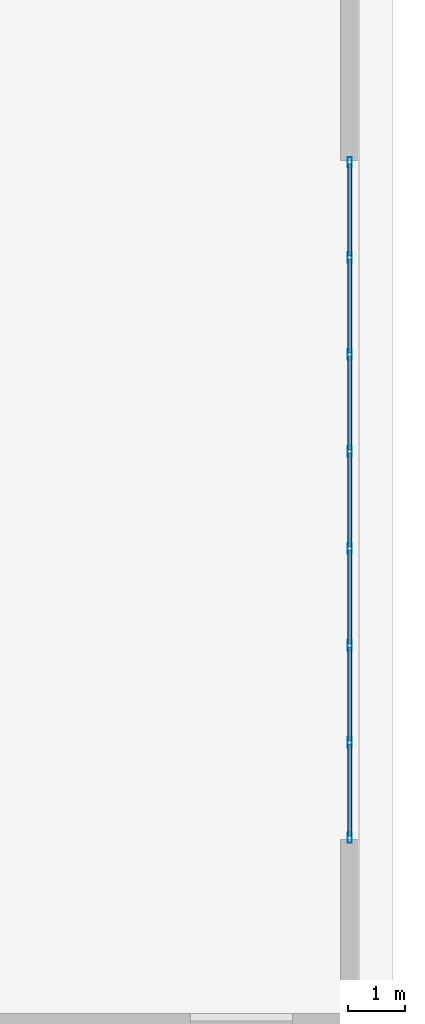
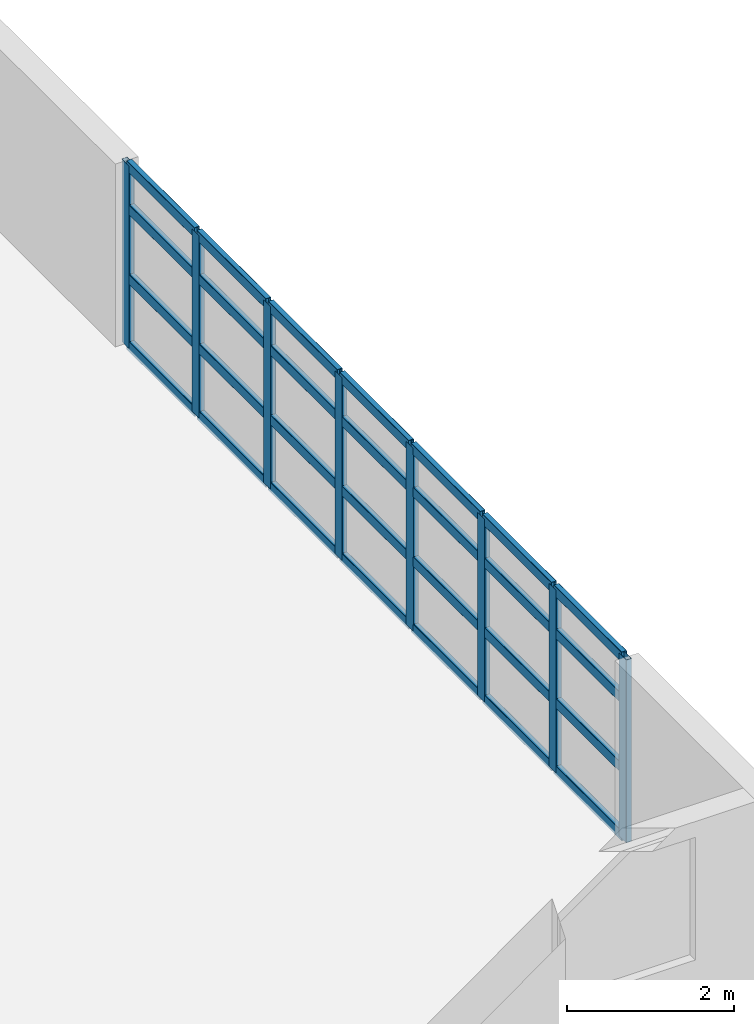
# One storey, part 8 of 24: 36 members, 1 element without a shape of its own.
"""IFC4 building model written with IfcOpenShell, lengths in metres."""

from ifc_helpers import new_model, si_unit, direction, frame, origin, origin_2d, place, context, subcontext, project, spatial, hollow_rectangle, extrude, material, layer, layer_set, material_profile, profile_set, type_object, element, aggregate, save


model = new_model("IFC4")

# Units and contexts
model_context = context("Model", 3, precision=1e-05, world=origin(), true_north=direction((0.0, 1.0)))
body_context = subcontext(model_context, "Body", "Model", "MODEL_VIEW")
ifc_project = project(units=[si_unit("LENGTHUNIT", "METRE"), si_unit("AREAUNIT", "SQUARE_METRE"), si_unit("VOLUMEUNIT", "CUBIC_METRE"), si_unit("PLANEANGLEUNIT", "RADIAN"), si_unit("MASSUNIT", "GRAM", prefix="KILO")], contexts=[model_context])

# Site, building, storey
site_placement = place(None, origin())
site = spatial("IfcSite", under=ifc_project, at=site_placement, CompositionType="ELEMENT")
building_placement = place(site_placement, origin())
building = spatial("IfcBuilding", under=site, at=building_placement, Name="Qingluan Cross Belvedere", CompositionType="ELEMENT")
storey_placement = place(building_placement, origin())
storey = spatial("IfcBuildingStorey", under=building, at=storey_placement, Name="L01", CompositionType="ELEMENT", Elevation=0.0)

# Curtain wall, members
ifc_material_1 = material(Name="Thermally broken aluminium and Low-E glass", Category="aluminium")
ifc_layer = layer(ifc_material_1, 0.199951171875, Name="UnitisedCW_PodiumArrival")
ifc_layer_set = layer_set([ifc_layer], Name="Thermally broken aluminium and Low-E glass")
curtain_wall_type = type_object("IfcCurtainWallType", Name="UnitisedCW_PodiumArrival", PredefinedType="USERDEFINED", material=ifc_layer_set)
curtain_wall_placement = place(storey_placement, origin())
curtain_wall = element("IfcCurtainWall", 1, at=curtain_wall_placement, inside=storey, type_object=curtain_wall_type, Name="UnitisedCW_PodiumArrival run env:cw:L01:E", ObjectType="UNITISED CURTAIN WALL", PredefinedType="USERDEFINED")
ifc_material_2 = material(Name="Aluminium alloy 6063-T6", Category="aluminium")
ifc_material_profile_1 = material_profile(ifc_material_2, hollow_rectangle(XDim=0.074951171875, YDim=0.179931640625, WallThickness=0.00390625, InnerFilletRadius=0.00390625, OuterFilletRadius=0.008056640625, at=origin_2d()), Name="CWM180x75x4")
ifc_profile_set_1 = profile_set([ifc_material_profile_1], Name="Aluminium alloy 6063-T6")
member_type_1 = type_object("IfcMemberType", Name="CWMullion_180", PredefinedType="MULLION", material=ifc_profile_set_1)
member_1_placement = place(storey_placement, frame((39.0400390625, 5.969970703125, 0.0), z_axis=(0.0, 0.0, 1.0), x_axis=(1.0, 0.0, 0.0)))
member_1 = element("IfcMember", 2, at=member_1_placement, type_object=member_type_1, Name="CW-P1 mullion 1", PredefinedType="MULLION", context=body_context, shape_type="SweptSolid", body=[
    extrude(hollow_rectangle(XDim=0.074951171875, YDim=0.179931640625, WallThickness=0.00390625, InnerFilletRadius=0.00390625, OuterFilletRadius=0.008056640625, at=origin_2d()), origin(), (0.0, 0.0, 1.0), 2.679931640625),
])
member_2_placement = place(storey_placement, frame((39.0400390625, 4.28564453125, 0.0), z_axis=(0.0, 0.0, 1.0), x_axis=(1.0, 0.0, 0.0)))
member_2 = element("IfcMember", 3, at=member_2_placement, type_object=member_type_1, Name="CW-P1 mullion 2", PredefinedType="MULLION", context=body_context, shape_type="SweptSolid", body=[
    extrude(hollow_rectangle(XDim=0.074951171875, YDim=0.179931640625, WallThickness=0.00390625, InnerFilletRadius=0.00390625, OuterFilletRadius=0.008056640625, at=origin_2d()), origin(), (0.0, 0.0, 1.0), 2.679931640625),
])
member_3_placement = place(storey_placement, frame((39.0400390625, 2.571533203125, 0.0), z_axis=(0.0, 0.0, 1.0), x_axis=(1.0, 0.0, 0.0)))
member_3 = element("IfcMember", 4, at=member_3_placement, type_object=member_type_1, Name="CW-P1 mullion 3", PredefinedType="MULLION", context=body_context, shape_type="SweptSolid", body=[
    extrude(hollow_rectangle(XDim=0.074951171875, YDim=0.179931640625, WallThickness=0.00390625, InnerFilletRadius=0.00390625, OuterFilletRadius=0.008056640625, at=origin_2d()), origin(), (0.0, 0.0, 1.0), 2.679931640625),
])
member_4_placement = place(storey_placement, frame((39.0400390625, 0.857177734375, 0.0), z_axis=(0.0, 0.0, 1.0), x_axis=(1.0, 0.0, 0.0)))
member_4 = element("IfcMember", 5, at=member_4_placement, type_object=member_type_1, Name="CW-P1 mullion 4", PredefinedType="MULLION", context=body_context, shape_type="SweptSolid", body=[
    extrude(hollow_rectangle(XDim=0.074951171875, YDim=0.179931640625, WallThickness=0.00390625, InnerFilletRadius=0.00390625, OuterFilletRadius=0.008056640625, at=origin_2d()), origin(), (0.0, 0.0, 1.0), 2.679931640625),
])
member_5_placement = place(storey_placement, frame((39.0400390625, -0.857177734375, 0.0), z_axis=(0.0, 0.0, 1.0), x_axis=(1.0, 0.0, 0.0)))
member_5 = element("IfcMember", 6, at=member_5_placement, type_object=member_type_1, Name="CW-P1 mullion 5", PredefinedType="MULLION", context=body_context, shape_type="SweptSolid", body=[
    extrude(hollow_rectangle(XDim=0.074951171875, YDim=0.179931640625, WallThickness=0.00390625, InnerFilletRadius=0.00390625, OuterFilletRadius=0.008056640625, at=origin_2d()), origin(), (0.0, 0.0, 1.0), 2.679931640625),
])
member_6_placement = place(storey_placement, frame((39.0400390625, -2.571533203125, 0.0), z_axis=(0.0, 0.0, 1.0), x_axis=(1.0, 0.0, 0.0)))
member_6 = element("IfcMember", 7, at=member_6_placement, type_object=member_type_1, Name="CW-P1 mullion 6", PredefinedType="MULLION", context=body_context, shape_type="SweptSolid", body=[
    extrude(hollow_rectangle(XDim=0.074951171875, YDim=0.179931640625, WallThickness=0.00390625, InnerFilletRadius=0.00390625, OuterFilletRadius=0.008056640625, at=origin_2d()), origin(), (0.0, 0.0, 1.0), 2.679931640625),
])
member_7_placement = place(storey_placement, frame((39.0400390625, -4.28564453125, 0.0), z_axis=(0.0, 0.0, 1.0), x_axis=(1.0, 0.0, 0.0)))
member_7 = element("IfcMember", 8, at=member_7_placement, type_object=member_type_1, Name="CW-P1 mullion 7", PredefinedType="MULLION", context=body_context, shape_type="SweptSolid", body=[
    extrude(hollow_rectangle(XDim=0.074951171875, YDim=0.179931640625, WallThickness=0.00390625, InnerFilletRadius=0.00390625, OuterFilletRadius=0.008056640625, at=origin_2d()), origin(), (0.0, 0.0, 1.0), 2.679931640625),
])
member_8_placement = place(storey_placement, frame((39.0400390625, -5.969970703125, 0.0), z_axis=(0.0, 0.0, 1.0), x_axis=(1.0, 0.0, 0.0)))
member_8 = element("IfcMember", 9, at=member_8_placement, type_object=member_type_1, Name="CW-P1 mullion 8", PredefinedType="MULLION", context=body_context, shape_type="SweptSolid", body=[
    extrude(hollow_rectangle(XDim=0.074951171875, YDim=0.179931640625, WallThickness=0.00390625, InnerFilletRadius=0.00390625, OuterFilletRadius=0.008056640625, at=origin_2d()), origin(), (0.0, 0.0, 1.0), 2.679931640625),
])
ifc_material_3 = material(Name="Aluminium alloy 6063-T6", Category="aluminium")
ifc_material_profile_2 = material_profile(ifc_material_3, hollow_rectangle(XDim=0.074951171875, YDim=0.14990234375, WallThickness=0.00390625, InnerFilletRadius=0.00390625, OuterFilletRadius=0.008056640625, at=origin_2d()), Name="CWT150x75x4")
ifc_profile_set_2 = profile_set([ifc_material_profile_2], Name="Aluminium alloy 6063-T6")
member_type_2 = type_object("IfcMemberType", Name="CWTransom_150", PredefinedType="USERDEFINED", material=ifc_profile_set_2)
member_9_placement = place(storey_placement, frame((39.0400390625, 5.93994140625, 0.030029296875), z_axis=(0.0, -1.0, 0.0), x_axis=(1.0, 0.0, 0.0)))
member_9 = element("IfcMember", 10, at=member_9_placement, type_object=member_type_2, Name="CW-P1 transom 1.1", ObjectType="TRANSOM", PredefinedType="USERDEFINED", context=body_context, shape_type="SweptSolid", body=[
    extrude(hollow_rectangle(XDim=0.074951171875, YDim=0.14990234375, WallThickness=0.00390625, InnerFilletRadius=0.00390625, OuterFilletRadius=0.008056640625, at=origin_2d()), origin(), (0.0, 0.0, 1.0), 1.624267578125),
])
member_10_placement = place(storey_placement, frame((39.0400390625, 5.93994140625, 1.01806640625), z_axis=(0.0, -1.0, 0.0), x_axis=(1.0, 0.0, 0.0)))
member_10 = element("IfcMember", 11, at=member_10_placement, type_object=member_type_2, Name="CW-P1 transom 1.2", ObjectType="TRANSOM", PredefinedType="USERDEFINED", context=body_context, shape_type="SweptSolid", body=[
    extrude(hollow_rectangle(XDim=0.074951171875, YDim=0.14990234375, WallThickness=0.00390625, InnerFilletRadius=0.00390625, OuterFilletRadius=0.008056640625, at=origin_2d()), origin(), (0.0, 0.0, 1.0), 1.624267578125),
])
member_11_placement = place(storey_placement, frame((39.0400390625, 5.93994140625, 2.037109375), z_axis=(0.0, -1.0, 0.0), x_axis=(1.0, 0.0, 0.0)))
member_11 = element("IfcMember", 12, at=member_11_placement, type_object=member_type_2, Name="CW-P1 transom 1.3", ObjectType="TRANSOM", PredefinedType="USERDEFINED", context=body_context, shape_type="SweptSolid", body=[
    extrude(hollow_rectangle(XDim=0.074951171875, YDim=0.14990234375, WallThickness=0.00390625, InnerFilletRadius=0.00390625, OuterFilletRadius=0.008056640625, at=origin_2d()), origin(), (0.0, 0.0, 1.0), 1.624267578125),
])
member_12_placement = place(storey_placement, frame((39.0400390625, 5.93994140625, 2.64990234375), z_axis=(0.0, -1.0, 0.0), x_axis=(1.0, 0.0, 0.0)))
member_12 = element("IfcMember", 13, at=member_12_placement, type_object=member_type_2, Name="CW-P1 transom 1.4", ObjectType="TRANSOM", PredefinedType="USERDEFINED", context=body_context, shape_type="SweptSolid", body=[
    extrude(hollow_rectangle(XDim=0.074951171875, YDim=0.14990234375, WallThickness=0.00390625, InnerFilletRadius=0.00390625, OuterFilletRadius=0.008056640625, at=origin_2d()), origin(), (0.0, 0.0, 1.0), 1.624267578125),
])
member_13_placement = place(storey_placement, frame((39.0400390625, 4.255615234375, 0.030029296875), z_axis=(0.0, -1.0, 0.0), x_axis=(1.0, 0.0, 0.0)))
member_13 = element("IfcMember", 14, at=member_13_placement, type_object=member_type_2, Name="CW-P1 transom 2.1", ObjectType="TRANSOM", PredefinedType="USERDEFINED", context=body_context, shape_type="SweptSolid", body=[
    extrude(hollow_rectangle(XDim=0.074951171875, YDim=0.14990234375, WallThickness=0.00390625, InnerFilletRadius=0.00390625, OuterFilletRadius=0.008056640625, at=origin_2d()), origin(), (0.0, 0.0, 1.0), 1.654296875),
])
member_14_placement = place(storey_placement, frame((39.0400390625, 4.255615234375, 1.01806640625), z_axis=(0.0, -1.0, 0.0), x_axis=(1.0, 0.0, 0.0)))
member_14 = element("IfcMember", 15, at=member_14_placement, type_object=member_type_2, Name="CW-P1 transom 2.2", ObjectType="TRANSOM", PredefinedType="USERDEFINED", context=body_context, shape_type="SweptSolid", body=[
    extrude(hollow_rectangle(XDim=0.074951171875, YDim=0.14990234375, WallThickness=0.00390625, InnerFilletRadius=0.00390625, OuterFilletRadius=0.008056640625, at=origin_2d()), origin(), (0.0, 0.0, 1.0), 1.654296875),
])
member_15_placement = place(storey_placement, frame((39.0400390625, 4.255615234375, 2.037109375), z_axis=(0.0, -1.0, 0.0), x_axis=(1.0, 0.0, 0.0)))
member_15 = element("IfcMember", 16, at=member_15_placement, type_object=member_type_2, Name="CW-P1 transom 2.3", ObjectType="TRANSOM", PredefinedType="USERDEFINED", context=body_context, shape_type="SweptSolid", body=[
    extrude(hollow_rectangle(XDim=0.074951171875, YDim=0.14990234375, WallThickness=0.00390625, InnerFilletRadius=0.00390625, OuterFilletRadius=0.008056640625, at=origin_2d()), origin(), (0.0, 0.0, 1.0), 1.654296875),
])
member_16_placement = place(storey_placement, frame((39.0400390625, 4.255615234375, 2.64990234375), z_axis=(0.0, -1.0, 0.0), x_axis=(1.0, 0.0, 0.0)))
member_16 = element("IfcMember", 17, at=member_16_placement, type_object=member_type_2, Name="CW-P1 transom 2.4", ObjectType="TRANSOM", PredefinedType="USERDEFINED", context=body_context, shape_type="SweptSolid", body=[
    extrude(hollow_rectangle(XDim=0.074951171875, YDim=0.14990234375, WallThickness=0.00390625, InnerFilletRadius=0.00390625, OuterFilletRadius=0.008056640625, at=origin_2d()), origin(), (0.0, 0.0, 1.0), 1.654296875),
])
member_17_placement = place(storey_placement, frame((39.0400390625, 2.54150390625, 0.030029296875), z_axis=(0.0, -1.0, 0.0), x_axis=(1.0, 0.0, 0.0)))
member_17 = element("IfcMember", 18, at=member_17_placement, type_object=member_type_2, Name="CW-P1 transom 3.1", ObjectType="TRANSOM", PredefinedType="USERDEFINED", context=body_context, shape_type="SweptSolid", body=[
    extrude(hollow_rectangle(XDim=0.074951171875, YDim=0.14990234375, WallThickness=0.00390625, InnerFilletRadius=0.00390625, OuterFilletRadius=0.008056640625, at=origin_2d()), origin(), (0.0, 0.0, 1.0), 1.654296875),
])
member_18_placement = place(storey_placement, frame((39.0400390625, 2.54150390625, 1.01806640625), z_axis=(0.0, -1.0, 0.0), x_axis=(1.0, 0.0, 0.0)))
member_18 = element("IfcMember", 19, at=member_18_placement, type_object=member_type_2, Name="CW-P1 transom 3.2", ObjectType="TRANSOM", PredefinedType="USERDEFINED", context=body_context, shape_type="SweptSolid", body=[
    extrude(hollow_rectangle(XDim=0.074951171875, YDim=0.14990234375, WallThickness=0.00390625, InnerFilletRadius=0.00390625, OuterFilletRadius=0.008056640625, at=origin_2d()), origin(), (0.0, 0.0, 1.0), 1.654296875),
])
member_19_placement = place(storey_placement, frame((39.0400390625, 2.54150390625, 2.037109375), z_axis=(0.0, -1.0, 0.0), x_axis=(1.0, 0.0, 0.0)))
member_19 = element("IfcMember", 20, at=member_19_placement, type_object=member_type_2, Name="CW-P1 transom 3.3", ObjectType="TRANSOM", PredefinedType="USERDEFINED", context=body_context, shape_type="SweptSolid", body=[
    extrude(hollow_rectangle(XDim=0.074951171875, YDim=0.14990234375, WallThickness=0.00390625, InnerFilletRadius=0.00390625, OuterFilletRadius=0.008056640625, at=origin_2d()), origin(), (0.0, 0.0, 1.0), 1.654296875),
])
member_20_placement = place(storey_placement, frame((39.0400390625, 2.54150390625, 2.64990234375), z_axis=(0.0, -1.0, 0.0), x_axis=(1.0, 0.0, 0.0)))
member_20 = element("IfcMember", 21, at=member_20_placement, type_object=member_type_2, Name="CW-P1 transom 3.4", ObjectType="TRANSOM", PredefinedType="USERDEFINED", context=body_context, shape_type="SweptSolid", body=[
    extrude(hollow_rectangle(XDim=0.074951171875, YDim=0.14990234375, WallThickness=0.00390625, InnerFilletRadius=0.00390625, OuterFilletRadius=0.008056640625, at=origin_2d()), origin(), (0.0, 0.0, 1.0), 1.654296875),
])
member_21_placement = place(storey_placement, frame((39.0400390625, 0.8271484375, 0.030029296875), z_axis=(0.0, -1.0, 0.0), x_axis=(1.0, 0.0, 0.0)))
member_21 = element("IfcMember", 22, at=member_21_placement, type_object=member_type_2, Name="CW-P1 transom 4.1", ObjectType="TRANSOM", PredefinedType="USERDEFINED", context=body_context, shape_type="SweptSolid", body=[
    extrude(hollow_rectangle(XDim=0.074951171875, YDim=0.14990234375, WallThickness=0.00390625, InnerFilletRadius=0.00390625, OuterFilletRadius=0.008056640625, at=origin_2d()), origin(), (0.0, 0.0, 1.0), 1.654296875),
])
member_22_placement = place(storey_placement, frame((39.0400390625, 0.8271484375, 1.01806640625), z_axis=(0.0, -1.0, 0.0), x_axis=(1.0, 0.0, 0.0)))
member_22 = element("IfcMember", 23, at=member_22_placement, type_object=member_type_2, Name="CW-P1 transom 4.2", ObjectType="TRANSOM", PredefinedType="USERDEFINED", context=body_context, shape_type="SweptSolid", body=[
    extrude(hollow_rectangle(XDim=0.074951171875, YDim=0.14990234375, WallThickness=0.00390625, InnerFilletRadius=0.00390625, OuterFilletRadius=0.008056640625, at=origin_2d()), origin(), (0.0, 0.0, 1.0), 1.654296875),
])
member_23_placement = place(storey_placement, frame((39.0400390625, 0.8271484375, 2.037109375), z_axis=(0.0, -1.0, 0.0), x_axis=(1.0, 0.0, 0.0)))
member_23 = element("IfcMember", 24, at=member_23_placement, type_object=member_type_2, Name="CW-P1 transom 4.3", ObjectType="TRANSOM", PredefinedType="USERDEFINED", context=body_context, shape_type="SweptSolid", body=[
    extrude(hollow_rectangle(XDim=0.074951171875, YDim=0.14990234375, WallThickness=0.00390625, InnerFilletRadius=0.00390625, OuterFilletRadius=0.008056640625, at=origin_2d()), origin(), (0.0, 0.0, 1.0), 1.654296875),
])
member_24_placement = place(storey_placement, frame((39.0400390625, 0.8271484375, 2.64990234375), z_axis=(0.0, -1.0, 0.0), x_axis=(1.0, 0.0, 0.0)))
member_24 = element("IfcMember", 25, at=member_24_placement, type_object=member_type_2, Name="CW-P1 transom 4.4", ObjectType="TRANSOM", PredefinedType="USERDEFINED", context=body_context, shape_type="SweptSolid", body=[
    extrude(hollow_rectangle(XDim=0.074951171875, YDim=0.14990234375, WallThickness=0.00390625, InnerFilletRadius=0.00390625, OuterFilletRadius=0.008056640625, at=origin_2d()), origin(), (0.0, 0.0, 1.0), 1.654296875),
])
member_25_placement = place(storey_placement, frame((39.0400390625, -0.88720703125, 0.030029296875), z_axis=(0.0, -1.0, 0.0), x_axis=(1.0, 0.0, 0.0)))
member_25 = element("IfcMember", 26, at=member_25_placement, type_object=member_type_2, Name="CW-P1 transom 5.1", ObjectType="TRANSOM", PredefinedType="USERDEFINED", context=body_context, shape_type="SweptSolid", body=[
    extrude(hollow_rectangle(XDim=0.074951171875, YDim=0.14990234375, WallThickness=0.00390625, InnerFilletRadius=0.00390625, OuterFilletRadius=0.008056640625, at=origin_2d()), origin(), (0.0, 0.0, 1.0), 1.654296875),
])
member_26_placement = place(storey_placement, frame((39.0400390625, -0.88720703125, 1.01806640625), z_axis=(0.0, -1.0, 0.0), x_axis=(1.0, 0.0, 0.0)))
member_26 = element("IfcMember", 27, at=member_26_placement, type_object=member_type_2, Name="CW-P1 transom 5.2", ObjectType="TRANSOM", PredefinedType="USERDEFINED", context=body_context, shape_type="SweptSolid", body=[
    extrude(hollow_rectangle(XDim=0.074951171875, YDim=0.14990234375, WallThickness=0.00390625, InnerFilletRadius=0.00390625, OuterFilletRadius=0.008056640625, at=origin_2d()), origin(), (0.0, 0.0, 1.0), 1.654296875),
])
member_27_placement = place(storey_placement, frame((39.0400390625, -0.88720703125, 2.037109375), z_axis=(0.0, -1.0, 0.0), x_axis=(1.0, 0.0, 0.0)))
member_27 = element("IfcMember", 28, at=member_27_placement, type_object=member_type_2, Name="CW-P1 transom 5.3", ObjectType="TRANSOM", PredefinedType="USERDEFINED", context=body_context, shape_type="SweptSolid", body=[
    extrude(hollow_rectangle(XDim=0.074951171875, YDim=0.14990234375, WallThickness=0.00390625, InnerFilletRadius=0.00390625, OuterFilletRadius=0.008056640625, at=origin_2d()), origin(), (0.0, 0.0, 1.0), 1.654296875),
])
member_28_placement = place(storey_placement, frame((39.0400390625, -0.88720703125, 2.64990234375), z_axis=(0.0, -1.0, 0.0), x_axis=(1.0, 0.0, 0.0)))
member_28 = element("IfcMember", 29, at=member_28_placement, type_object=member_type_2, Name="CW-P1 transom 5.4", ObjectType="TRANSOM", PredefinedType="USERDEFINED", context=body_context, shape_type="SweptSolid", body=[
    extrude(hollow_rectangle(XDim=0.074951171875, YDim=0.14990234375, WallThickness=0.00390625, InnerFilletRadius=0.00390625, OuterFilletRadius=0.008056640625, at=origin_2d()), origin(), (0.0, 0.0, 1.0), 1.654296875),
])
member_29_placement = place(storey_placement, frame((39.0400390625, -2.601318359375, 0.030029296875), z_axis=(0.0, -1.0, 0.0), x_axis=(1.0, 0.0, 0.0)))
member_29 = element("IfcMember", 30, at=member_29_placement, type_object=member_type_2, Name="CW-P1 transom 6.1", ObjectType="TRANSOM", PredefinedType="USERDEFINED", context=body_context, shape_type="SweptSolid", body=[
    extrude(hollow_rectangle(XDim=0.074951171875, YDim=0.14990234375, WallThickness=0.00390625, InnerFilletRadius=0.00390625, OuterFilletRadius=0.008056640625, at=origin_2d()), origin(), (0.0, 0.0, 1.0), 1.654296875),
])
member_30_placement = place(storey_placement, frame((39.0400390625, -2.601318359375, 1.01806640625), z_axis=(0.0, -1.0, 0.0), x_axis=(1.0, 0.0, 0.0)))
member_30 = element("IfcMember", 31, at=member_30_placement, type_object=member_type_2, Name="CW-P1 transom 6.2", ObjectType="TRANSOM", PredefinedType="USERDEFINED", context=body_context, shape_type="SweptSolid", body=[
    extrude(hollow_rectangle(XDim=0.074951171875, YDim=0.14990234375, WallThickness=0.00390625, InnerFilletRadius=0.00390625, OuterFilletRadius=0.008056640625, at=origin_2d()), origin(), (0.0, 0.0, 1.0), 1.654296875),
])
member_31_placement = place(storey_placement, frame((39.0400390625, -2.601318359375, 2.037109375), z_axis=(0.0, -1.0, 0.0), x_axis=(1.0, 0.0, 0.0)))
member_31 = element("IfcMember", 32, at=member_31_placement, type_object=member_type_2, Name="CW-P1 transom 6.3", ObjectType="TRANSOM", PredefinedType="USERDEFINED", context=body_context, shape_type="SweptSolid", body=[
    extrude(hollow_rectangle(XDim=0.074951171875, YDim=0.14990234375, WallThickness=0.00390625, InnerFilletRadius=0.00390625, OuterFilletRadius=0.008056640625, at=origin_2d()), origin(), (0.0, 0.0, 1.0), 1.654296875),
])
member_32_placement = place(storey_placement, frame((39.0400390625, -2.601318359375, 2.64990234375), z_axis=(0.0, -1.0, 0.0), x_axis=(1.0, 0.0, 0.0)))
member_32 = element("IfcMember", 33, at=member_32_placement, type_object=member_type_2, Name="CW-P1 transom 6.4", ObjectType="TRANSOM", PredefinedType="USERDEFINED", context=body_context, shape_type="SweptSolid", body=[
    extrude(hollow_rectangle(XDim=0.074951171875, YDim=0.14990234375, WallThickness=0.00390625, InnerFilletRadius=0.00390625, OuterFilletRadius=0.008056640625, at=origin_2d()), origin(), (0.0, 0.0, 1.0), 1.654296875),
])
member_33_placement = place(storey_placement, frame((39.0400390625, -4.315673828125, 0.030029296875), z_axis=(0.0, -1.0, 0.0), x_axis=(1.0, 0.0, 0.0)))
member_33 = element("IfcMember", 34, at=member_33_placement, type_object=member_type_2, Name="CW-P1 transom 7.1", ObjectType="TRANSOM", PredefinedType="USERDEFINED", context=body_context, shape_type="SweptSolid", body=[
    extrude(hollow_rectangle(XDim=0.074951171875, YDim=0.14990234375, WallThickness=0.00390625, InnerFilletRadius=0.00390625, OuterFilletRadius=0.008056640625, at=origin_2d()), origin(), (0.0, 0.0, 1.0), 1.624267578125),
])
member_34_placement = place(storey_placement, frame((39.0400390625, -4.315673828125, 1.01806640625), z_axis=(0.0, -1.0, 0.0), x_axis=(1.0, 0.0, 0.0)))
member_34 = element("IfcMember", 35, at=member_34_placement, type_object=member_type_2, Name="CW-P1 transom 7.2", ObjectType="TRANSOM", PredefinedType="USERDEFINED", context=body_context, shape_type="SweptSolid", body=[
    extrude(hollow_rectangle(XDim=0.074951171875, YDim=0.14990234375, WallThickness=0.00390625, InnerFilletRadius=0.00390625, OuterFilletRadius=0.008056640625, at=origin_2d()), origin(), (0.0, 0.0, 1.0), 1.624267578125),
])
member_35_placement = place(storey_placement, frame((39.0400390625, -4.315673828125, 2.037109375), z_axis=(0.0, -1.0, 0.0), x_axis=(1.0, 0.0, 0.0)))
member_35 = element("IfcMember", 36, at=member_35_placement, type_object=member_type_2, Name="CW-P1 transom 7.3", ObjectType="TRANSOM", PredefinedType="USERDEFINED", context=body_context, shape_type="SweptSolid", body=[
    extrude(hollow_rectangle(XDim=0.074951171875, YDim=0.14990234375, WallThickness=0.00390625, InnerFilletRadius=0.00390625, OuterFilletRadius=0.008056640625, at=origin_2d()), origin(), (0.0, 0.0, 1.0), 1.624267578125),
])
member_36_placement = place(storey_placement, frame((39.0400390625, -4.315673828125, 2.64990234375), z_axis=(0.0, -1.0, 0.0), x_axis=(1.0, 0.0, 0.0)))
member_36 = element("IfcMember", 37, at=member_36_placement, type_object=member_type_2, Name="CW-P1 transom 7.4", ObjectType="TRANSOM", PredefinedType="USERDEFINED", context=body_context, shape_type="SweptSolid", body=[
    extrude(hollow_rectangle(XDim=0.074951171875, YDim=0.14990234375, WallThickness=0.00390625, InnerFilletRadius=0.00390625, OuterFilletRadius=0.008056640625, at=origin_2d()), origin(), (0.0, 0.0, 1.0), 1.624267578125),
])
aggregate(curtain_wall, [member_1, member_2, member_3, member_4, member_5, member_6, member_7, member_8, member_9, member_10, member_11, member_12, member_13, member_14, member_15, member_16, member_17, member_18, member_19, member_20, member_21, member_22, member_23, member_24, member_25, member_26, member_27, member_28, member_29, member_30, member_31, member_32, member_33, member_34, member_35, member_36])

save(model, "model.ifc")
